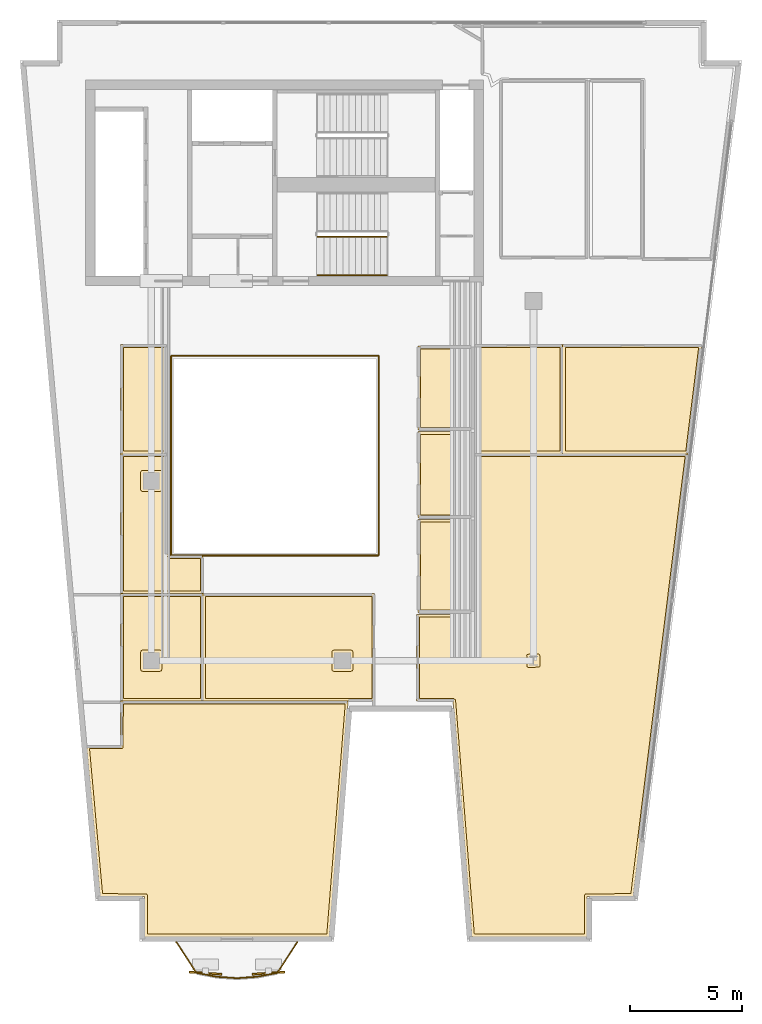
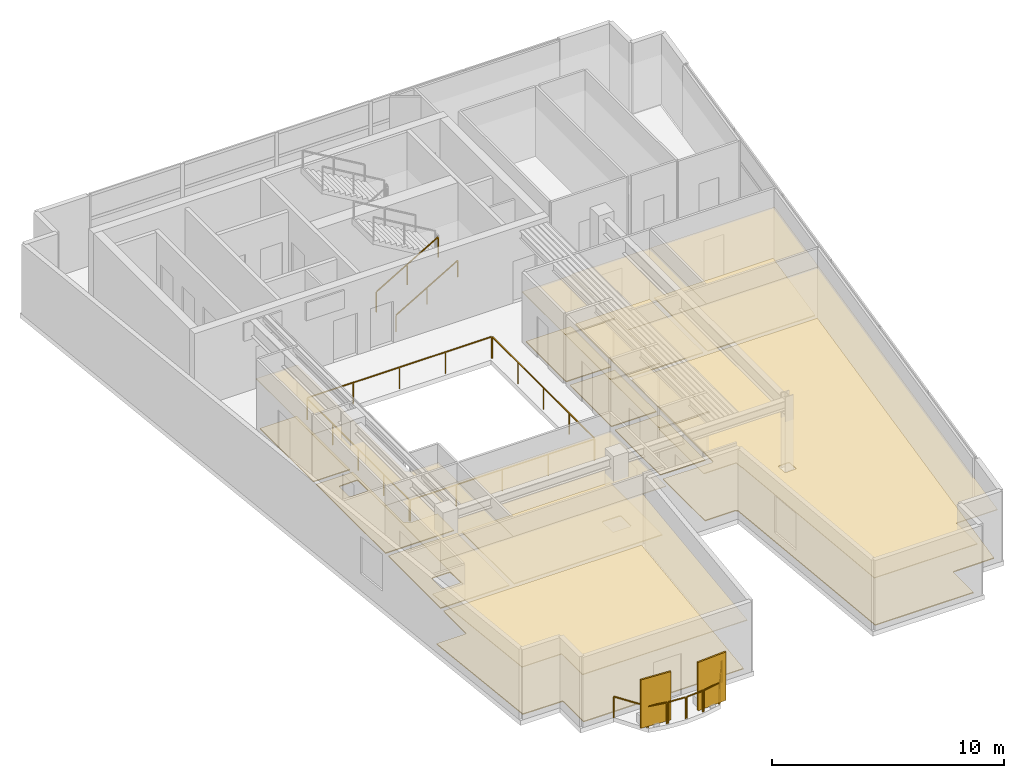
# One storey, part 7 of 8: 22 coverings, 12 railings, 2 shading devices.
"""IFC4 building model written with IfcOpenShell, lengths in metres."""

from ifc_helpers import new_model, si_unit, direction, frame, origin, origin_2d, place, context, subcontext, project, spatial, polyline, rectangle, outline, extrude, material, layer, layer_set, type_object, element, save


model = new_model("IFC4")

# Units and contexts
model_context = context("Model", 3, precision=1e-05, world=origin(), true_north=direction((0.0, 1.0)))
body_context = subcontext(model_context, "Body", "Model", "MODEL_VIEW")
ifc_project = project(units=[si_unit("LENGTHUNIT", "METRE"), si_unit("AREAUNIT", "SQUARE_METRE"), si_unit("VOLUMEUNIT", "CUBIC_METRE"), si_unit("PLANEANGLEUNIT", "RADIAN"), si_unit("MASSUNIT", "GRAM", prefix="KILO")], contexts=[model_context])

# Site, building, storey
site_placement = place(None, origin())
site = spatial("IfcSite", under=ifc_project, at=site_placement, CompositionType="ELEMENT")
building_placement = place(site_placement, origin())
building = spatial("IfcBuilding", under=site, at=building_placement, Name="Caeloran Harvest Quay", CompositionType="ELEMENT")
storey_placement = place(building_placement, frame((0.0, 0.0, 268.550048828125)))
storey = spatial("IfcBuildingStorey", under=building, at=storey_placement, Name="L64", CompositionType="ELEMENT", Elevation=268.550048828125)

# Coverings
ifc_material_1 = material(Name="Perforated Mineral-Fibre Acoustic Ceiling Tile", Category="ceiling")
ifc_layer_1 = layer(ifc_material_1, 0.0400390625, Name="Perforated Mineral-Fibre Acoustic Ceiling Tile")
ifc_layer_set_1 = layer_set([ifc_layer_1], Name="Perforated Mineral-Fibre Acoustic Ceiling Tile")
covering_type_1 = type_object("IfcCoveringType", Name="COV-CEILING-ACOUSTIC", PredefinedType="CEILING", material=ifc_layer_set_1)
covering_1_placement = place(storey_placement, frame((0.0, 0.0, 2.599853515625)))
element("IfcCovering", 1, at=covering_1_placement, inside=storey, type_object=covering_type_1, Name="L64 Male Washroom WC Acoustic Ceiling", PredefinedType="CEILING", context=body_context, shape_type="SweptSolid", body=[
    extrude(outline(polyline([(22.840087890625, 28.989990234375), (22.840087890625, 25.260009765625), (20.360107421875, 25.260009765625), (20.360107421875, 28.989990234375), (22.840087890625, 28.989990234375)])), origin(), (0.0, 0.0, 1.0), 0.0400390625),
])
covering_2_placement = place(storey_placement, frame((0.0, 0.0, 2.599853515625)))
element("IfcCovering", 2, at=covering_2_placement, inside=storey, type_object=covering_type_1, Name="L64 Female Washroom WC Acoustic Ceiling", PredefinedType="CEILING", context=body_context, shape_type="SweptSolid", body=[
    extrude(outline(polyline([(22.840087890625, 25.18994140625), (22.840087890625, 21.360107421875), (20.360107421875, 21.360107421875), (20.360107421875, 25.18994140625), (22.840087890625, 25.18994140625)])), origin(), (0.0, 0.0, 1.0), 0.0400390625),
])
covering_3_placement = place(storey_placement, frame((0.0, 0.0, 2.599853515625)))
element("IfcCovering", 3, at=covering_3_placement, inside=storey, type_object=covering_type_1, Name="L64 Accessible Unisex Washroom WC Acoustic Ceiling", PredefinedType="CEILING", context=body_context, shape_type="SweptSolid", body=[
    extrude(outline(polyline([(22.840087890625, 21.2900390625), (22.840087890625, 17.139892578125), (20.360107421875, 17.139892578125), (20.360107421875, 21.2900390625), (22.840087890625, 21.2900390625)])), origin(), (0.0, 0.0, 1.0), 0.0400390625),
])
covering_4_placement = place(storey_placement, frame((0.0, 0.0, 2.599853515625)))
element("IfcCovering", 4, at=covering_4_placement, inside=storey, type_object=covering_type_1, Name="Climate Diplomacy Seminar Hall Acoustic Ceiling", PredefinedType="CEILING", context=body_context, shape_type="SweptSolid", body=[
    extrude(outline(polyline([(17.259033203125, 13.199951171875), (16.4208984375, 2.719970703125), (8.20556640625, 2.719970703125), (8.20556640625, 4.52001953125), (6.224853515625, 4.52001953125), (5.623291015625, 11.2099609375), (7.139892578125, 11.2099609375), (7.139892578125, 13.199951171875), (17.259033203125, 13.199951171875)])), origin(), (0.0, 0.0, 1.0), 0.0400390625),
])
covering_5_placement = place(storey_placement, frame((0.0, 0.0, 2.599853515625)))
element("IfcCovering", 5, at=covering_5_placement, inside=storey, type_object=covering_type_1, Name="International Policy Conference Room Acoustic Ceiling", PredefinedType="CEILING", context=body_context, shape_type="SweptSolid", body=[
    extrude(outline(polyline([(29.939453125, 4.52001953125), (27.890380859375, 4.52001953125), (27.890380859375, 2.719970703125), (22.75927734375, 2.719970703125), (21.97509765625, 12.76611328125), (21.94873046875, 12.856201171875), (21.92138671875, 13.199951171875), (20.31005859375, 13.199951171875), (20.31005859375, 17.06005859375), (22.840087890625, 17.06005859375), (22.8701171875, 24.199951171875), (32.382568359375, 24.199951171875), (29.939453125, 4.52001953125)])), origin(), (0.0, 0.0, 1.0), 0.0400390625),
])
covering_6_placement = place(storey_placement, frame((0.0, 0.0, 2.599853515625)))
element("IfcCovering", 6, at=covering_6_placement, inside=storey, type_object=covering_type_1, Name="Translation Briefing Room Acoustic Ceiling", PredefinedType="CEILING", context=body_context, shape_type="SweptSolid", body=[
    extrude(outline(polyline([(7.139892578125, 17.97998046875), (10.800048828125, 17.97998046875), (10.800048828125, 13.199951171875), (7.139892578125, 13.199951171875), (7.139892578125, 17.97998046875)])), origin(), (0.0, 0.0, 1.0), 0.0400390625),
])
covering_7_placement = place(storey_placement, frame((0.0, 0.0, 2.599853515625)))
element("IfcCovering", 7, at=covering_7_placement, inside=storey, type_object=covering_type_1, Name="Treaty Archive Library Room Acoustic Ceiling", PredefinedType="CEILING", context=body_context, shape_type="SweptSolid", body=[
    extrude(outline(polyline([(18.429931640625, 13.199951171875), (10.800048828125, 13.199951171875), (10.800048828125, 17.97998046875), (18.429931640625, 17.97998046875), (18.429931640625, 13.199951171875)])), origin(), (0.0, 0.0, 1.0), 0.0400390625),
])
covering_8_placement = place(storey_placement, frame((0.0, 0.0, 2.599853515625)))
element("IfcCovering", 8, at=covering_8_placement, inside=storey, type_object=covering_type_1, Name="Delegation Dining Kitchen Acoustic Ceiling", PredefinedType="CEILING", context=body_context, shape_type="SweptSolid", body=[
    extrude(outline(polyline([(9.2099609375, 19.760009765625), (9.30517578125, 19.744384765625), (9.360107421875, 19.68359375), (9.360107421875, 19.659912109375), (10.800048828125, 19.659912109375), (10.800048828125, 17.97998046875), (7.139892578125, 17.97998046875), (7.139892578125, 24.199951171875), (9.2099609375, 24.199951171875), (9.2099609375, 19.760009765625)])), origin(), (0.0, 0.0, 1.0), 0.0400390625),
])
covering_9_placement = place(storey_placement, frame((0.0, 0.0, 2.599853515625)))
element("IfcCovering", 9, at=covering_9_placement, inside=storey, type_object=covering_type_1, Name="Diplomatic Catering Kitchen Acoustic Ceiling", PredefinedType="CEILING", context=body_context, shape_type="SweptSolid", body=[
    extrude(outline(polyline([(7.139892578125, 24.199951171875), (7.139892578125, 29.06005859375), (9.2099609375, 29.06005859375), (9.2099609375, 24.199951171875), (7.139892578125, 24.199951171875)])), origin(), (0.0, 0.0, 1.0), 0.0400390625),
])
covering_10_placement = place(storey_placement, frame((0.0, 0.0, 2.599853515625)))
element("IfcCovering", 10, at=covering_10_placement, inside=storey, type_object=covering_type_1, Name="Embassy Wellness Lounge Acoustic Ceiling", PredefinedType="CEILING", context=body_context, shape_type="SweptSolid", body=[
    extrude(outline(polyline([(22.8701171875, 24.199951171875), (22.8701171875, 29.06005859375), (26.800048828125, 29.06005859375), (26.800048828125, 24.199951171875), (22.8701171875, 24.199951171875)])), origin(), (0.0, 0.0, 1.0), 0.0400390625),
])
covering_11_placement = place(storey_placement, frame((0.0, 0.0, 2.599853515625)))
element("IfcCovering", 11, at=covering_11_placement, inside=storey, type_object=covering_type_1, Name="Climate Diplomacy Seminar Hall 8 Acoustic Ceiling", PredefinedType="CEILING", context=body_context, shape_type="SweptSolid", body=[
    extrude(outline(polyline([(26.800048828125, 29.06005859375), (32.98583984375, 29.06005859375), (32.382568359375, 24.199951171875), (26.800048828125, 24.199951171875), (26.800048828125, 29.06005859375)])), origin(), (0.0, 0.0, 1.0), 0.0400390625),
])
ifc_material_2 = material(Name="Calcium-Sulphate Raised Access Floor and Terrazzo Finish", Category="flooring")
ifc_layer_2 = layer(ifc_material_2, 0.050048828125, Name="Calcium-Sulphate Raised Access Floor and Terrazzo Finish")
ifc_layer_set_2 = layer_set([ifc_layer_2], Name="Calcium-Sulphate Raised Access Floor and Terrazzo Finish")
covering_type_2 = type_object("IfcCoveringType", Name="COV-FLOOR-RAISED", PredefinedType="FLOORING", material=ifc_layer_set_2)
covering_12_placement = place(storey_placement, origin())
element("IfcCovering", 12, at=covering_12_placement, inside=storey, type_object=covering_type_2, Name="L64 Male Washroom WC Raised Finish Flooring", PredefinedType="FLOORING", context=body_context, shape_type="SweptSolid", body=[
    extrude(outline(polyline([(22.719970703125, 28.8701171875), (22.719970703125, 25.3798828125), (20.47998046875, 25.3798828125), (20.47998046875, 28.8701171875), (22.719970703125, 28.8701171875)])), origin(), (0.0, 0.0, 1.0), 0.050048828125),
])
covering_13_placement = place(storey_placement, origin())
element("IfcCovering", 13, at=covering_13_placement, inside=storey, type_object=covering_type_2, Name="L64 Female Washroom WC Raised Finish Flooring", PredefinedType="FLOORING", context=body_context, shape_type="SweptSolid", body=[
    extrude(outline(polyline([(22.719970703125, 25.070068359375), (22.719970703125, 21.47998046875), (20.47998046875, 21.47998046875), (20.47998046875, 25.070068359375), (22.719970703125, 25.070068359375)])), origin(), (0.0, 0.0, 1.0), 0.050048828125),
])
covering_14_placement = place(storey_placement, origin())
element("IfcCovering", 14, at=covering_14_placement, inside=storey, type_object=covering_type_2, Name="L64 Accessible Unisex Washroom WC Raised Finish Flooring", PredefinedType="FLOORING", context=body_context, shape_type="SweptSolid", body=[
    extrude(outline(polyline([(22.719970703125, 21.169921875), (22.719970703125, 17.260009765625), (20.47998046875, 17.260009765625), (20.47998046875, 21.169921875), (22.719970703125, 21.169921875)])), origin(), (0.0, 0.0, 1.0), 0.050048828125),
])
covering_15_placement = place(storey_placement, origin())
element("IfcCovering", 15, at=covering_15_placement, inside=storey, type_object=covering_type_2, Name="Climate Diplomacy Seminar Hall Raised Finish Flooring", PredefinedType="FLOORING", context=body_context, shape_type="SweptSolid", body=[
    extrude(outline(polyline([(17.129150390625, 13.080078125), (16.31005859375, 2.840087890625), (8.325439453125, 2.840087890625), (8.325439453125, 4.56005859375), (8.29638671875, 4.621826171875), (6.33447265625, 4.639892578125), (5.754638671875, 11.090087890625), (7.179931640625, 11.090087890625), (7.24169921875, 11.119140625), (7.260009765625, 13.080078125), (17.129150390625, 13.080078125)])), origin(), (0.0, 0.0, 1.0), 0.050048828125),
])
covering_16_placement = place(storey_placement, origin())
element("IfcCovering", 16, at=covering_16_placement, inside=storey, type_object=covering_type_2, Name="International Policy Conference Room Raised Finish Flooring", PredefinedType="FLOORING", context=body_context, shape_type="SweptSolid", body=[
    extrude(outline(polyline([(32.24658203125, 24.080078125), (29.83349609375, 4.639892578125), (27.7998046875, 4.621826171875), (27.7705078125, 4.56005859375), (27.7705078125, 2.840087890625), (22.8701171875, 2.840087890625), (22.036865234375, 13.25439453125), (21.958251953125, 13.320068359375), (20.429931640625, 13.320068359375), (20.429931640625, 16.93994140625), (22.8798828125, 16.93994140625), (22.95654296875, 16.99658203125), (22.98974609375, 24.080078125), (32.24658203125, 24.080078125)]), holes=[polyline([(25.202392578125, 15.230712890625), (25.22021484375, 14.726318359375), (25.274169921875, 14.697509765625), (25.768798828125, 14.715087890625), (25.798095703125, 14.777099609375), (25.77978515625, 15.273681640625), (25.718017578125, 15.302978515625), (25.231201171875, 15.284912109375), (25.202392578125, 15.230712890625)])]), origin(), (0.0, 0.0, 1.0), 0.050048828125),
])
covering_17_placement = place(storey_placement, origin())
element("IfcCovering", 17, at=covering_17_placement, inside=storey, type_object=covering_type_2, Name="Translation Briefing Room Raised Finish Flooring", PredefinedType="FLOORING", context=body_context, shape_type="SweptSolid", body=[
    extrude(outline(polyline([(7.260009765625, 13.320068359375), (7.260009765625, 17.860107421875), (10.679931640625, 17.860107421875), (10.679931640625, 13.320068359375), (7.260009765625, 13.320068359375)]), holes=[polyline([(8.030029296875, 14.610107421875), (8.053466796875, 14.553466796875), (8.102294921875, 14.530517578125), (8.889892578125, 14.530029296875), (8.946533203125, 14.553466796875), (8.969970703125, 14.610107421875), (8.969970703125, 15.389892578125), (8.946533203125, 15.446533203125), (8.889892578125, 15.469970703125), (8.110107421875, 15.469970703125), (8.053466796875, 15.446533203125), (8.030029296875, 15.389892578125), (8.030029296875, 14.610107421875)])]), origin(), (0.0, 0.0, 1.0), 0.050048828125),
])
covering_18_placement = place(storey_placement, origin())
element("IfcCovering", 18, at=covering_18_placement, inside=storey, type_object=covering_type_2, Name="Treaty Archive Library Room Raised Finish Flooring", PredefinedType="FLOORING", context=body_context, shape_type="SweptSolid", body=[
    extrude(outline(polyline([(18.31005859375, 17.860107421875), (18.31005859375, 13.320068359375), (10.919921875, 13.320068359375), (10.919921875, 17.860107421875), (18.31005859375, 17.860107421875)]), holes=[polyline([(16.530029296875, 15.389892578125), (16.548095703125, 14.55908203125), (16.602294921875, 14.530517578125), (17.389892578125, 14.530029296875), (17.446533203125, 14.553466796875), (17.469970703125, 14.610107421875), (17.469970703125, 15.389892578125), (17.446533203125, 15.446533203125), (17.389892578125, 15.469970703125), (16.610107421875, 15.469970703125), (16.553466796875, 15.446533203125), (16.530029296875, 15.389892578125)])]), origin(), (0.0, 0.0, 1.0), 0.050048828125),
])
covering_19_placement = place(storey_placement, origin())
element("IfcCovering", 19, at=covering_19_placement, inside=storey, type_object=covering_type_2, Name="Delegation Dining Kitchen Raised Finish Flooring", PredefinedType="FLOORING", context=body_context, shape_type="SweptSolid", body=[
    extrude(outline(polyline([(9.237548828125, 19.639892578125), (9.275146484375, 19.569580078125), (9.343017578125, 19.540283203125), (10.679931640625, 19.5400390625), (10.679931640625, 18.10009765625), (7.260009765625, 18.10009765625), (7.260009765625, 24.080078125), (9.090087890625, 24.080078125), (9.090087890625, 19.74609375), (9.1357421875, 19.660888671875), (9.237548828125, 19.639892578125)]), holes=[polyline([(8.889892578125, 23.469970703125), (8.05908203125, 23.451904296875), (8.030517578125, 23.397705078125), (8.030029296875, 22.610107421875), (8.053466796875, 22.553466796875), (8.110107421875, 22.530029296875), (8.889892578125, 22.530029296875), (8.946533203125, 22.553466796875), (8.969970703125, 22.610107421875), (8.969970703125, 23.389892578125), (8.946533203125, 23.446533203125), (8.889892578125, 23.469970703125)])]), origin(), (0.0, 0.0, 1.0), 0.050048828125),
])
covering_20_placement = place(storey_placement, origin())
element("IfcCovering", 20, at=covering_20_placement, inside=storey, type_object=covering_type_2, Name="Diplomatic Catering Kitchen Raised Finish Flooring", PredefinedType="FLOORING", context=body_context, shape_type="SweptSolid", body=[
    extrude(outline(polyline([(7.260009765625, 24.320068359375), (7.260009765625, 28.93994140625), (9.090087890625, 28.93994140625), (9.090087890625, 24.320068359375), (7.260009765625, 24.320068359375)])), origin(), (0.0, 0.0, 1.0), 0.050048828125),
])
covering_21_placement = place(storey_placement, origin())
element("IfcCovering", 21, at=covering_21_placement, inside=storey, type_object=covering_type_2, Name="Embassy Wellness Lounge Raised Finish Flooring", PredefinedType="FLOORING", context=body_context, shape_type="SweptSolid", body=[
    extrude(outline(polyline([(22.989990234375, 24.320068359375), (22.989990234375, 28.93994140625), (26.679931640625, 28.93994140625), (26.679931640625, 24.320068359375), (22.989990234375, 24.320068359375)])), origin(), (0.0, 0.0, 1.0), 0.050048828125),
])
covering_22_placement = place(storey_placement, origin())
element("IfcCovering", 22, at=covering_22_placement, inside=storey, type_object=covering_type_2, Name="Climate Diplomacy Seminar Hall 8 Raised Finish Flooring", PredefinedType="FLOORING", context=body_context, shape_type="SweptSolid", body=[
    extrude(outline(polyline([(26.919921875, 28.93994140625), (32.85009765625, 28.93994140625), (32.276611328125, 24.320068359375), (26.919921875, 24.320068359375), (26.919921875, 28.93994140625)])), origin(), (0.0, 0.0, 1.0), 0.050048828125),
])

# Railings
ifc_material_3 = material(Name="Powder-Coated Steel Post and Laminated Glass Guardrail", Category="steel")
ifc_layer_3 = layer(ifc_material_3, 0.06005859375, Name="Powder-Coated Steel Post and Laminated Glass Guardrail")
ifc_layer_set_3 = layer_set([ifc_layer_3], Name="Powder-Coated Steel Post and Laminated Glass Guardrail")
railing_type_1 = type_object("IfcRailingType", Name="GUARD-ATRIUM-1150", PredefinedType="GUARDRAIL", material=ifc_layer_set_3)
railing_1_placement = place(storey_placement, frame((9.412109375, 19.679931640625, 0.0)))
element("IfcRailing", 23, at=railing_1_placement, inside=storey, type_object=railing_type_1, Name="L64 Skylit Atrium Void Perimeter Guardrail Seg 1", PredefinedType="GUARDRAIL", context=body_context, shape_type="SweptSolid", body=[
    extrude(rectangle(XDim=0.048095703125, YDim=0.048095703125, at=origin_2d()), frame((0.0, 0.0, 1.1259765625), z_axis=(1.0, 0.0, 0.0), x_axis=(0.0, 1.0, 0.0)), (0.0, 0.0, 1.0), 9.17578125),
    extrude(rectangle(XDim=0.0419921875, YDim=0.0419921875, at=origin_2d()), origin(), (0.0, 0.0, 1.0), 1.101806640625),
    extrude(rectangle(XDim=0.0419921875, YDim=0.0419921875, at=origin_2d()), frame((2.2939453125, 0.0, 0.0)), (0.0, 0.0, 1.0), 1.101806640625),
    extrude(rectangle(XDim=0.0419921875, YDim=0.0419921875, at=origin_2d()), frame((4.587890625, 0.0, 0.0)), (0.0, 0.0, 1.0), 1.101806640625),
    extrude(rectangle(XDim=0.0419921875, YDim=0.0419921875, at=origin_2d()), frame((6.8818359375, 0.0, 0.0)), (0.0, 0.0, 1.0), 1.101806640625),
    extrude(rectangle(XDim=0.0419921875, YDim=0.0419921875, at=origin_2d()), frame((9.17578125, 0.0, 0.0)), (0.0, 0.0, 1.0), 1.101806640625),
])
railing_2_placement = place(storey_placement, frame((18.6201171875, 19.7119140625, 0.0)))
element("IfcRailing", 24, at=railing_2_placement, inside=storey, type_object=railing_type_1, Name="L64 Skylit Atrium Void Perimeter Guardrail Seg 2", PredefinedType="GUARDRAIL", context=body_context, shape_type="SweptSolid", body=[
    extrude(rectangle(XDim=0.048095703125, YDim=0.048095703125, at=origin_2d()), frame((0.0, 0.0, 1.1259765625), z_axis=(0.0, 1.0, 0.0), x_axis=(-1.0, 0.0, 0.0)), (0.0, 0.0, 1.0), 8.826171875),
    extrude(rectangle(XDim=0.0419921875, YDim=0.0419921875, at=origin_2d()), origin(), (0.0, 0.0, 1.0), 1.101806640625),
    extrude(rectangle(XDim=0.0419921875, YDim=0.0419921875, at=origin_2d()), frame((0.0, 2.20654296875, 0.0)), (0.0, 0.0, 1.0), 1.101806640625),
    extrude(rectangle(XDim=0.0419921875, YDim=0.0419921875, at=origin_2d()), frame((0.0, 4.4130859375, 0.0)), (0.0, 0.0, 1.0), 1.101806640625),
    extrude(rectangle(XDim=0.0419921875, YDim=0.0419921875, at=origin_2d()), frame((0.0, 6.61962890625, 0.0)), (0.0, 0.0, 1.0), 1.101806640625),
    extrude(rectangle(XDim=0.0419921875, YDim=0.0419921875, at=origin_2d()), frame((0.0, 8.826171875, 0.0)), (0.0, 0.0, 1.0), 1.101806640625),
])
railing_3_placement = place(storey_placement, frame((18.587890625, 28.570068359375, 0.0)))
element("IfcRailing", 25, at=railing_3_placement, inside=storey, type_object=railing_type_1, Name="L64 Skylit Atrium Void Perimeter Guardrail Seg 3", PredefinedType="GUARDRAIL", context=body_context, shape_type="SweptSolid", body=[
    extrude(rectangle(XDim=0.048095703125, YDim=0.048095703125, at=origin_2d()), frame((0.0, 0.0, 1.1259765625), z_axis=(-1.0, 0.0, 0.0), x_axis=(0.0, -1.0, 0.0)), (0.0, 0.0, 1.0), 9.17578125),
    extrude(rectangle(XDim=0.0419921875, YDim=0.0419921875, at=origin_2d()), origin(), (0.0, 0.0, 1.0), 1.101806640625),
    extrude(rectangle(XDim=0.0419921875, YDim=0.0419921875, at=origin_2d()), frame((-2.2939453125, 0.0, 0.0)), (0.0, 0.0, 1.0), 1.101806640625),
    extrude(rectangle(XDim=0.0419921875, YDim=0.0419921875, at=origin_2d()), frame((-4.587890625, 0.0, 0.0)), (0.0, 0.0, 1.0), 1.101806640625),
    extrude(rectangle(XDim=0.0419921875, YDim=0.0419921875, at=origin_2d()), frame((-6.8818359375, 0.0, 0.0)), (0.0, 0.0, 1.0), 1.101806640625),
    extrude(rectangle(XDim=0.0419921875, YDim=0.0419921875, at=origin_2d()), frame((-9.17578125, 0.0, 0.0)), (0.0, 0.0, 1.0), 1.101806640625),
])
railing_4_placement = place(storey_placement, frame((9.3798828125, 28.5380859375, 0.0)))
element("IfcRailing", 26, at=railing_4_placement, inside=storey, type_object=railing_type_1, Name="L64 Skylit Atrium Void Perimeter Guardrail Seg 4", PredefinedType="GUARDRAIL", context=body_context, shape_type="SweptSolid", body=[
    extrude(rectangle(XDim=0.048095703125, YDim=0.048095703125, at=origin_2d()), frame((0.0, 0.0, 1.1259765625), z_axis=(0.0, -1.0, 0.0), x_axis=(1.0, 0.0, 0.0)), (0.0, 0.0, 1.0), 8.826171875),
    extrude(rectangle(XDim=0.0419921875, YDim=0.0419921875, at=origin_2d()), origin(), (0.0, 0.0, 1.0), 1.101806640625),
    extrude(rectangle(XDim=0.0419921875, YDim=0.0419921875, at=origin_2d()), frame((0.0, -2.20654296875, 0.0)), (0.0, 0.0, 1.0), 1.101806640625),
    extrude(rectangle(XDim=0.0419921875, YDim=0.0419921875, at=origin_2d()), frame((0.0, -4.4130859375, 0.0)), (0.0, 0.0, 1.0), 1.101806640625),
    extrude(rectangle(XDim=0.0419921875, YDim=0.0419921875, at=origin_2d()), frame((0.0, -6.61962890625, 0.0)), (0.0, 0.0, 1.0), 1.101806640625),
    extrude(rectangle(XDim=0.0419921875, YDim=0.0419921875, at=origin_2d()), frame((0.0, -8.826171875, 0.0)), (0.0, 0.0, 1.0), 1.101806640625),
])
ifc_material_4 = material(Name="Laminated Safety Glass and Stainless Steel 316", Category="steel")
ifc_layer_4 = layer(ifc_material_4, 0.06005859375, Name="Laminated Safety Glass and Stainless Steel 316")
ifc_layer_set_4 = layer_set([ifc_layer_4], Name="Laminated Safety Glass and Stainless Steel 316")
railing_type_2 = type_object("IfcRailingType", Name="GUARD-BALUSTRADE-1150", PredefinedType="BALUSTRADE", material=ifc_layer_set_4)
railing_5_placement = place(storey_placement, frame((15.00048828125, 2.47998046875, 0.0)))
element("IfcRailing", 27, at=railing_5_placement, inside=storey, type_object=railing_type_2, Name="L64 Planted Balcony Perimeter Balustrade Guard Seg 1", PredefinedType="BALUSTRADE", context=body_context, shape_type="SweptSolid", body=[
    extrude(rectangle(XDim=0.048095703125, YDim=0.048095703125, at=origin_2d()), frame((0.0, 0.0, 1.1259765625), z_axis=(-0.548709679541, -0.836012970939, 0.0), x_axis=(0.836012970939, -0.548709679541, 0.0)), (0.0, 0.0, 1.0), 1.6025390625),
    extrude(rectangle(XDim=0.0419921875, YDim=0.0419921875, at=origin_2d()), origin(), (0.0, 0.0, 1.0), 1.101806640625),
    extrude(rectangle(XDim=0.0419921875, YDim=0.0419921875, at=origin_2d()), frame((-0.87939453125, -1.33984375, 0.0)), (0.0, 0.0, 1.0), 1.101806640625),
])
railing_6_placement = place(storey_placement, frame((14.072021484375, 1.107421875, 0.0)))
element("IfcRailing", 28, at=railing_6_placement, inside=storey, type_object=railing_type_2, Name="L64 Planted Balcony Perimeter Balustrade Guard Seg 2", PredefinedType="BALUSTRADE", context=body_context, shape_type="SweptSolid", body=[
    extrude(rectangle(XDim=0.048095703125, YDim=0.048095703125, at=origin_2d()), frame((0.0, 0.0, 1.1259765625), z_axis=(-0.981852407301, -0.189646645835, 0.0), x_axis=(0.189646645835, -0.981852407301, 0.0)), (0.0, 0.0, 1.0), 0.849609375),
    extrude(rectangle(XDim=0.0419921875, YDim=0.0419921875, at=origin_2d()), origin(), (0.0, 0.0, 1.0), 1.101806640625),
    extrude(rectangle(XDim=0.0419921875, YDim=0.0419921875, at=origin_2d()), frame((-0.834228515625, -0.1611328125, 0.0)), (0.0, 0.0, 1.0), 1.101806640625),
])
railing_7_placement = place(storey_placement, frame((13.174560546875, 0.93798828125, 0.0)))
element("IfcRailing", 29, at=railing_7_placement, inside=storey, type_object=railing_type_2, Name="L64 Planted Balcony Perimeter Balustrade Guard Seg 3", PredefinedType="BALUSTRADE", context=body_context, shape_type="SweptSolid", body=[
    extrude(rectangle(XDim=0.048095703125, YDim=0.048095703125, at=origin_2d()), frame((0.0, 0.0, 1.1259765625), z_axis=(-0.997516231391, -0.070436979714, 0.0), x_axis=(0.070436979714, -0.997516231391, 0.0)), (0.0, 0.0, 1.0), 0.835205078125),
    extrude(rectangle(XDim=0.0419921875, YDim=0.0419921875, at=origin_2d()), origin(), (0.0, 0.0, 1.0), 1.101806640625),
    extrude(rectangle(XDim=0.0419921875, YDim=0.0419921875, at=origin_2d()), frame((-0.833251953125, -0.058837890625, 0.0)), (0.0, 0.0, 1.0), 1.101806640625),
])
railing_8_placement = place(storey_placement, frame((12.277587890625, 0.879150390625, 0.0)))
element("IfcRailing", 30, at=railing_8_placement, inside=storey, type_object=railing_type_2, Name="L64 Planted Balcony Perimeter Balustrade Guard Seg 4", PredefinedType="BALUSTRADE", context=body_context, shape_type="SweptSolid", body=[
    extrude(rectangle(XDim=0.048095703125, YDim=0.048095703125, at=origin_2d()), frame((0.0, 0.0, 1.1259765625), z_axis=(-0.997516231391, 0.070436979714, 0.0), x_axis=(-0.070436979714, -0.997516231391, 0.0)), (0.0, 0.0, 1.0), 0.835205078125),
    extrude(rectangle(XDim=0.0419921875, YDim=0.0419921875, at=origin_2d()), origin(), (0.0, 0.0, 1.0), 1.101806640625),
    extrude(rectangle(XDim=0.0419921875, YDim=0.0419921875, at=origin_2d()), frame((-0.833251953125, 0.058837890625, 0.0)), (0.0, 0.0, 1.0), 1.101806640625),
])
railing_9_placement = place(storey_placement, frame((11.381103515625, 0.9462890625, 0.0)))
element("IfcRailing", 31, at=railing_9_placement, inside=storey, type_object=railing_type_2, Name="L64 Planted Balcony Perimeter Balustrade Guard Seg 5", PredefinedType="BALUSTRADE", context=body_context, shape_type="SweptSolid", body=[
    extrude(rectangle(XDim=0.048095703125, YDim=0.048095703125, at=origin_2d()), frame((0.0, 0.0, 1.1259765625), z_axis=(-0.981852407301, 0.189646645835, 0.0), x_axis=(-0.189646645835, -0.981852407301, 0.0)), (0.0, 0.0, 1.0), 0.849609375),
    extrude(rectangle(XDim=0.0419921875, YDim=0.0419921875, at=origin_2d()), origin(), (0.0, 0.0, 1.0), 1.101806640625),
    extrude(rectangle(XDim=0.0419921875, YDim=0.0419921875, at=origin_2d()), frame((-0.834228515625, 0.1611328125, 0.0)), (0.0, 0.0, 1.0), 1.101806640625),
])
railing_10_placement = place(storey_placement, frame((10.497802734375, 1.14013671875, 0.0)))
element("IfcRailing", 32, at=railing_10_placement, inside=storey, type_object=railing_type_2, Name="L64 Planted Balcony Perimeter Balustrade Guard Seg 6", PredefinedType="BALUSTRADE", context=body_context, shape_type="SweptSolid", body=[
    extrude(rectangle(XDim=0.048095703125, YDim=0.048095703125, at=origin_2d()), frame((0.0, 0.0, 1.1259765625), z_axis=(-0.548709679541, 0.836012970939, 0.0), x_axis=(-0.836012970939, -0.548709679541, 0.0)), (0.0, 0.0, 1.0), 1.6025390625),
    extrude(rectangle(XDim=0.0419921875, YDim=0.0419921875, at=origin_2d()), origin(), (0.0, 0.0, 1.0), 1.101806640625),
    extrude(rectangle(XDim=0.0419921875, YDim=0.0419921875, at=origin_2d()), frame((-0.87939453125, 1.33984375, 0.0)), (0.0, 0.0, 1.0), 1.101806640625),
])

# Shading devices
ifc_material_5 = material(Name="3003-H14 Perforated Powder-Coated Aluminium", Category="aluminium")
shading_device_type = type_object("IfcShadingDeviceType", Name="SHADE-SCREEN-FOLDED", PredefinedType="USERDEFINED", material=ifc_material_5)
for number, where, z_axis, x_axis, name in (
    (33, (13.708740234375, 1.101318359375, 0.07470703125), (0.0, 0.0, 1.0), (0.997801468292, 0.0662739004, 0.0), "L64 Folded Facade Breathing Screen 1"),
    (34, (10.91015625, 1.101318359375, 0.07470703125), (0.0, 0.0, 1.0), (0.997801468292, -0.0662739004, 0.0), "L64 Folded Facade Breathing Screen 2"),
):
    element("IfcShadingDevice", number, at=place(storey_placement, frame(where, z_axis=z_axis, x_axis=x_axis)), inside=storey, type_object=shading_device_type, Name=name, ObjectType="SCREEN", PredefinedType="USERDEFINED", context=body_context, shape_type="SweptSolid", body=[
        extrude(rectangle(XDim=1.449951171875, YDim=0.080078125, at=origin_2d()), origin(), (0.0, 0.0, 1.0), 2.550048828125),
    ])

# Railings
ifc_material_6 = material(Name="Painted Steel Baluster and Top-Rail Stair Guard", Category="steel")
ifc_layer_5 = layer(ifc_material_6, 0.050048828125, Name="Painted Steel Baluster and Top-Rail Stair Guard")
ifc_layer_set_5 = layer_set([ifc_layer_5], Name="Painted Steel Baluster and Top-Rail Stair Guard")
railing_type_3 = type_object("IfcRailingType", Name="STAIR-GUARD-1100", PredefinedType="GUARDRAIL", material=ifc_layer_set_5)
railing_11_placement = place(storey_placement, frame((15.89990234375, 33.85009765625, 0.16455078125)))
element("IfcRailing", 35, at=railing_11_placement, inside=storey, type_object=railing_type_3, Name="L64 ST-C2 stair guard 1", PredefinedType="GUARDRAIL", context=body_context, shape_type="SweptSolid", body=[
    extrude(rectangle(XDim=0.048095703125, YDim=0.048095703125, at=origin_2d()), frame((0.0, 0.0, 1.076171875), z_axis=(0.862118610829, 0.0, 0.506706523406), x_axis=(0.0, 1.0, 0.0)), (0.0, 0.0, 1.0), 3.57275390625),
    extrude(rectangle(XDim=0.0419921875, YDim=0.0419921875, at=origin_2d()), origin(), (0.0, 0.0, 1.0), 1.052001953125),
    extrude(rectangle(XDim=0.0419921875, YDim=0.0419921875, at=origin_2d()), frame((1.5400390625, 0.0, 0.9052734375)), (0.0, 0.0, 1.0), 1.052001953125),
    extrude(rectangle(XDim=0.0419921875, YDim=0.0419921875, at=origin_2d()), frame((3.080078125, 0.0, 1.810302734375)), (0.0, 0.0, 1.0), 1.052001953125),
])
ifc_material_7 = material(Name="Brushed Stainless Steel Grade 304", Category="steel")
ifc_layer_6 = layer(ifc_material_7, 0.050048828125, Name="Brushed Stainless Steel Grade 304")
ifc_layer_set_6 = layer_set([ifc_layer_6], Name="Brushed Stainless Steel Grade 304")
railing_type_4 = type_object("IfcRailingType", Name="STAIR-HANDRAIL-900", PredefinedType="HANDRAIL", material=ifc_layer_set_6)
railing_12_placement = place(storey_placement, frame((15.89990234375, 32.14990234375, 0.16455078125)))
element("IfcRailing", 36, at=railing_12_placement, inside=storey, type_object=railing_type_4, Name="L64 ST-C2 stair handrail 1", PredefinedType="HANDRAIL", context=body_context, shape_type="SweptSolid", body=[
    extrude(rectangle(XDim=0.048095703125, YDim=0.048095703125, at=origin_2d()), frame((0.0, 0.0, 0.8759765625), z_axis=(0.862118610829, 0.0, 0.506706523406), x_axis=(0.0, 1.0, 0.0)), (0.0, 0.0, 1.0), 3.57275390625),
    extrude(rectangle(XDim=0.0419921875, YDim=0.0419921875, at=origin_2d()), origin(), (0.0, 0.0, 1.0), 0.851806640625),
    extrude(rectangle(XDim=0.0419921875, YDim=0.0419921875, at=origin_2d()), frame((1.5400390625, 0.0, 0.9052734375)), (0.0, 0.0, 1.0), 0.851806640625),
    extrude(rectangle(XDim=0.0419921875, YDim=0.0419921875, at=origin_2d()), frame((3.080078125, 0.0, 1.810302734375)), (0.0, 0.0, 1.0), 0.851806640625),
])

save(model, "model.ifc")
